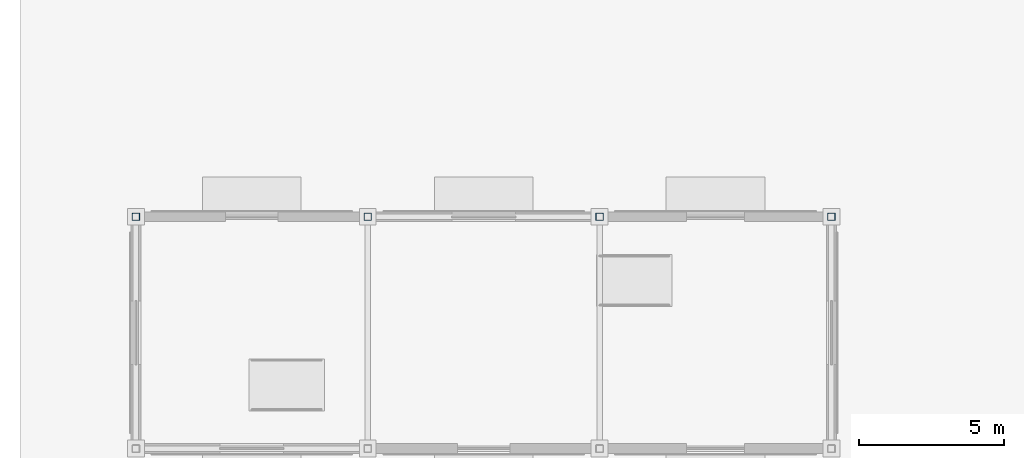
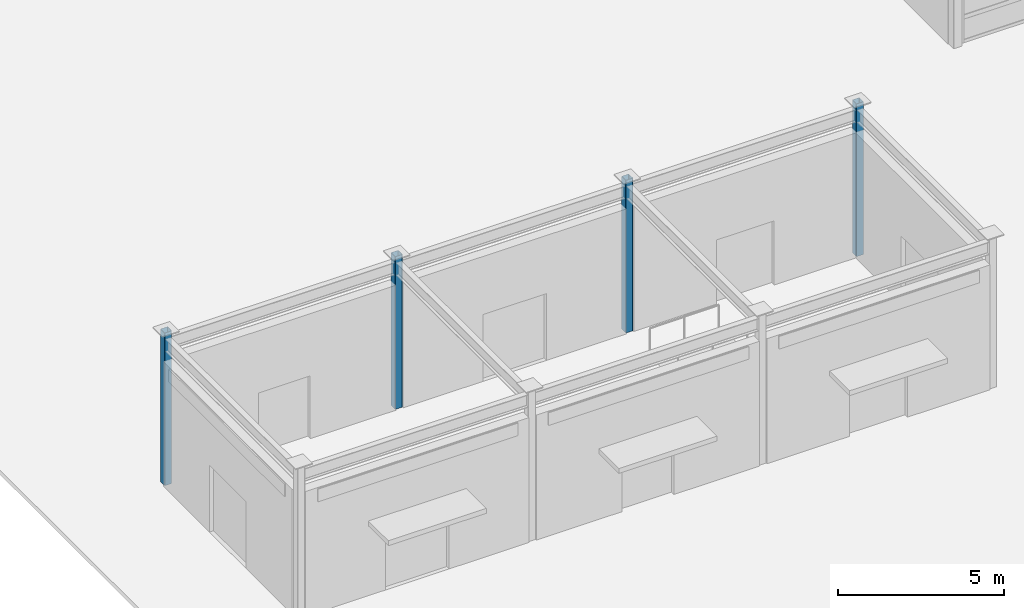
# One storey, part 13 of 128: 4 columns.
"""IFC4 building model written with IfcOpenShell, lengths in metres."""

import ifcopenshell
import ifcopenshell.guid

model = None  # the IFC model being written
_history = None  # IfcOwnerHistory: only IFC2X3 demands one
_inside = {}  # id of a spatial element -> (the spatial element, [elements in it])
_under = {}  # id of a project, library or spatial element -> (it, [spatial elements below it])
_declared = {}  # id of a project -> (the project, [libraries it declares])
_typed = {}  # id of a type object -> (the type object, [elements of that type])
_made_of = {}  # id of a material, layer set ... -> (it, [elements and type objects made of it])


def new_model(schema):
    """Start an empty IFC model of exactly this schema.

    Asked for "IFC4X3", IfcOpenShell would pick the latest addendum, in which some entities
    have other attributes; the version numbers below select the first issue.
    IFC2X3 requires an IfcOwnerHistory on every rooted entity: one is made here for all.
    """
    global model, _history
    if schema == "IFC4X3":
        model = ifcopenshell.file(schema_version=(4, 3, 0, 0))
    else:
        model = ifcopenshell.file(schema=schema)
    _inside.clear()
    _under.clear()
    _declared.clear()
    _typed.clear()
    _made_of.clear()
    _history = None
    if model.schema == "IFC2X3":
        org = make("IfcOrganization", Name="unknown")
        user = make(
            "IfcPersonAndOrganization",
            ThePerson=make("IfcPerson", FamilyName="unknown"),
            TheOrganization=org,
        )
        app = make(
            "IfcApplication",
            ApplicationDeveloper=org,
            Version="unknown",
            ApplicationFullName="unknown",
            ApplicationIdentifier="unknown",
        )
        _history = make(
            "IfcOwnerHistory",
            OwningUser=user,
            OwningApplication=app,
            ChangeAction="ADDED",
            CreationDate=0,
        )
    return model


def make(cls, **values):
    """One entity of the class cls with the attributes given. An attribute that is None is left unset."""
    return model.create_entity(
        cls, **{name: value for name, value in values.items() if value is not None}
    )


def rooted(cls, **values):
    """An entity with a GlobalId (a new one), such as an element, a storey or a relation."""
    return make(cls, GlobalId=ifcopenshell.guid.new(), OwnerHistory=_history, **values)


def si_unit(unit_type, name, prefix=None):
    """IfcSIUnit, for example si_unit("LENGTHUNIT", "METRE", prefix="MILLI")."""
    return make("IfcSIUnit", UnitType=unit_type, Prefix=prefix, Name=name)


def assignment(units):
    """IfcUnitAssignment: the units of a project."""
    return None if units is None else make("IfcUnitAssignment", Units=units)


def point(xyz):
    """IfcCartesianPoint."""
    return None if xyz is None else make("IfcCartesianPoint", Coordinates=xyz)


def direction(xyz):
    """IfcDirection."""
    return None if xyz is None else make("IfcDirection", DirectionRatios=xyz)


def frame(location, z_axis=None, x_axis=None):
    """IfcAxis2Placement3D, a coordinate frame: its origin and axes. An axis left out is left unset."""
    return make(
        "IfcAxis2Placement3D",
        Location=point(location),
        Axis=direction(z_axis),
        RefDirection=direction(x_axis),
    )


def frame_2d(location, x_axis=None):
    """IfcAxis2Placement2D, a coordinate frame in the plane: its origin and x axis."""
    return make(
        "IfcAxis2Placement2D", Location=point(location), RefDirection=direction(x_axis)
    )


def origin():
    """The frame at (0, 0, 0) with its axes left unset."""
    return frame((0.0, 0.0, 0.0))


def origin_2d():
    """The frame at (0, 0) in the plane with its x axis left unset."""
    return frame_2d((0.0, 0.0))


def place(relative_to, where):
    """IfcLocalPlacement: puts the frame where relative to a parent placement (None: the world)."""
    return make(
        "IfcLocalPlacement", PlacementRelTo=relative_to, RelativePlacement=where
    )


def context(
    kind, dimensions, precision=None, world=None, true_north=None, identifier=None
):
    """IfcGeometricRepresentationContext, for example the 3D "Model" context."""
    return make(
        "IfcGeometricRepresentationContext",
        ContextIdentifier=identifier,
        ContextType=kind,
        CoordinateSpaceDimension=dimensions,
        Precision=precision,
        WorldCoordinateSystem=world,
        TrueNorth=true_north,
    )


def subcontext(parent, identifier, kind, view, scale=None):
    """IfcGeometricRepresentationSubContext, for example "Body" below "Model"."""
    return make(
        "IfcGeometricRepresentationSubContext",
        ContextIdentifier=identifier,
        ContextType=kind,
        ParentContext=parent,
        TargetScale=scale,
        TargetView=view,
    )


def project(units=None, contexts=None):
    """IfcProject with its units and contexts."""
    return rooted(
        "IfcProject",
        Name="project",
        RepresentationContexts=contexts,
        UnitsInContext=assignment(units),
    )


def spatial(cls, under=None, at=None, **own):
    """A site, building, storey or space (cls), placed at a placement, below another one or the project."""
    s = rooted(cls, ObjectPlacement=at, **own)
    if under is not None:
        _under.setdefault(under.id(), (under, []))[1].append(s)
    return s


def profile(cls, at=None, kind="AREA", **sizes):
    """A parametric profile (cls). Its sizes go by their IFC names, for example OverallWidth=200.0."""
    return make(cls, ProfileType=kind, Position=at, **sizes)


def hollow_rectangle(**sizes):
    """IfcRectangleHollowProfileDef."""
    return profile("IfcRectangleHollowProfileDef", **sizes)


def extrude(swept, where, along, depth):
    """IfcExtrudedAreaSolid: the profile swept, set in the frame where, extruded along a direction by depth."""
    return make(
        "IfcExtrudedAreaSolid",
        SweptArea=swept,
        Position=where,
        ExtrudedDirection=direction(along),
        Depth=depth,
    )


def shape(context_of_items, identifier, shape_type, items):
    """IfcShapeRepresentation: the items that make up one representation, for example the "Body"."""
    return make(
        "IfcShapeRepresentation",
        ContextOfItems=context_of_items,
        RepresentationIdentifier=identifier,
        RepresentationType=shape_type,
        Items=items,
    )


def material(Name=None, Category=None):
    """IfcMaterial."""
    return make("IfcMaterial", Name=Name, Category=Category)


def material_profile(
    of_material, cross_section, Name=None, Category=None, Priority=None
):
    """IfcMaterialProfile: a cross section and its material."""
    return make(
        "IfcMaterialProfile",
        Name=Name,
        Material=of_material,
        Profile=cross_section,
        Priority=Priority,
        Category=Category,
    )


def profile_set(profiles, Name=None, composite=None):
    """IfcMaterialProfileSet."""
    return make(
        "IfcMaterialProfileSet",
        Name=Name,
        MaterialProfiles=profiles,
        CompositeProfile=composite,
    )


def made_of(thing, what):
    """Note that an element or type object is made of a material, layer set ...; save() writes the relation."""
    if what is not None:
        _made_of.setdefault(what.id(), (what, []))[1].append(thing)
    return thing


def type_object(cls, material=None, **own):
    """A type object (cls), such as IfcWallType, which elements share."""
    return made_of(rooted(cls, **own), material)


def element(
    cls,
    number,
    at=None,
    inside=None,
    cuts=None,
    type_object=None,
    material=None,
    context=None,
    identifier="Body",
    shape_type=None,
    held_by="IfcProductDefinitionShape",
    body=None,
    shapes=None,
    **own,
):
    """One element of the class cls, such as IfcWall. Its Tag is "e" and its number.

    at: its placement. inside: the storey or other place that contains it. cuts: it is an
    opening in that element (IfcRelVoidsElement). A single representation is given by context,
    identifier, shape_type and body (its items); several are given by shapes. held_by: the class
    of the entity that holds the representations. save() writes the other relations.
    """
    e = rooted(cls, Tag="e%d" % number, ObjectPlacement=at, **own)
    if body is not None:
        shapes = [shape(context, identifier, shape_type, body)]
    if shapes is not None:
        e.Representation = make(held_by, Representations=shapes)
    if inside is not None:
        _inside.setdefault(inside.id(), (inside, []))[1].append(e)
    if cuts is not None:
        rooted(
            "IfcRelVoidsElement", RelatingBuildingElement=cuts, RelatedOpeningElement=e
        )
    if type_object is not None:
        _typed.setdefault(type_object.id(), (type_object, []))[1].append(e)
    return made_of(e, material)


def aggregate(whole, parts):
    """IfcRelAggregates: a whole, such as a stair, and the parts it consists of."""
    return rooted("IfcRelAggregates", RelatingObject=whole, RelatedObjects=parts)


def save(model, path):
    """Write the relations noted so far, then the file.

    IfcRelAggregates (storeys below a building ...), IfcRelContainedInSpatialStructure (elements
    in a storey), IfcRelDefinesByType, IfcRelAssociatesMaterial and IfcRelDeclares: one each for
    every whole, place, type object, material and project.
    """
    for whole, parts in _under.values():
        aggregate(whole, parts)
    for where, things in _inside.values():
        rooted(
            "IfcRelContainedInSpatialStructure",
            RelatedElements=things,
            RelatingStructure=where,
        )
    for kind, things in _typed.values():
        rooted("IfcRelDefinesByType", RelatedObjects=things, RelatingType=kind)
    for what, things in _made_of.values():
        rooted("IfcRelAssociatesMaterial", RelatedObjects=things, RelatingMaterial=what)
    for by, libraries in _declared.values():
        rooted("IfcRelDeclares", RelatingContext=by, RelatedDefinitions=libraries)
    model.write(path)


model = new_model("IFC4")

# Units and contexts
model_context = context("Model", 3, precision=1e-05, world=origin(), true_north=direction((0.0, 1.0)))
body_context = subcontext(model_context, "Body", "Model", "MODEL_VIEW")
ifc_project = project(units=[si_unit("LENGTHUNIT", "METRE"), si_unit("AREAUNIT", "SQUARE_METRE"), si_unit("VOLUMEUNIT", "CUBIC_METRE"), si_unit("PLANEANGLEUNIT", "RADIAN"), si_unit("MASSUNIT", "GRAM", prefix="KILO")], contexts=[model_context])

# Site, building, storey
site_placement = place(None, origin())
site = spatial("IfcSite", under=ifc_project, at=site_placement, CompositionType="ELEMENT")
building_placement = place(site_placement, origin())
building = spatial("IfcBuilding", under=site, at=building_placement, Name="Solmirada Galleria", CompositionType="ELEMENT")
storey_placement = place(building_placement, origin())
storey = spatial("IfcBuildingStorey", under=building, at=storey_placement, Name="L00", CompositionType="ELEMENT", Elevation=0.0)

# Columns
ifc_material = material(Name="Steel S355 / ASTM A500 Grade C", Category="steel")
ifc_material_profile = material_profile(ifc_material, hollow_rectangle(XDim=0.25390625, YDim=0.25390625, WallThickness=0.0087890625, InnerFilletRadius=0.0087890625, OuterFilletRadius=0.017822265625, at=origin_2d()), Name="HSS10X10X3/8")
ifc_profile_set = profile_set([ifc_material_profile], Name="Steel S355 / ASTM A500 Grade C")
column_type = type_object("IfcColumnType", Name="COL-HSS10", PredefinedType="COLUMN", material=ifc_profile_set)
for number, where, z_axis, x_axis, name in (
    (1, (8.0, 64.0, 0.0), (0.0, 0.0, 1.0), (1.0, 0.0, 0.0), "Structural column L00-0004"),
    (2, (16.0, 64.0, 0.0), (0.0, 0.0, 1.0), (1.0, 0.0, 0.0), "Structural column L00-0008"),
    (3, (24.0, 64.0, 0.0), (0.0, 0.0, 1.0), (1.0, 0.0, 0.0), "Structural column L00-0012"),
    (4, (32.0, 64.0, 0.0), (0.0, 0.0, 1.0), (1.0, 0.0, 0.0), "Structural column L00-0016"),
):
    element("IfcColumn", number, at=place(storey_placement, frame(where, z_axis=z_axis, x_axis=x_axis)), inside=storey, type_object=column_type, Name=name, PredefinedType="COLUMN", context=body_context, shape_type="SweptSolid", body=[
        extrude(hollow_rectangle(XDim=0.25390625, YDim=0.25390625, WallThickness=0.0087890625, InnerFilletRadius=0.0087890625, OuterFilletRadius=0.017822265625, at=origin_2d()), origin(), (0.0, 0.0, 1.0), 5.60009765625),
    ])

save(model, "model.ifc")
